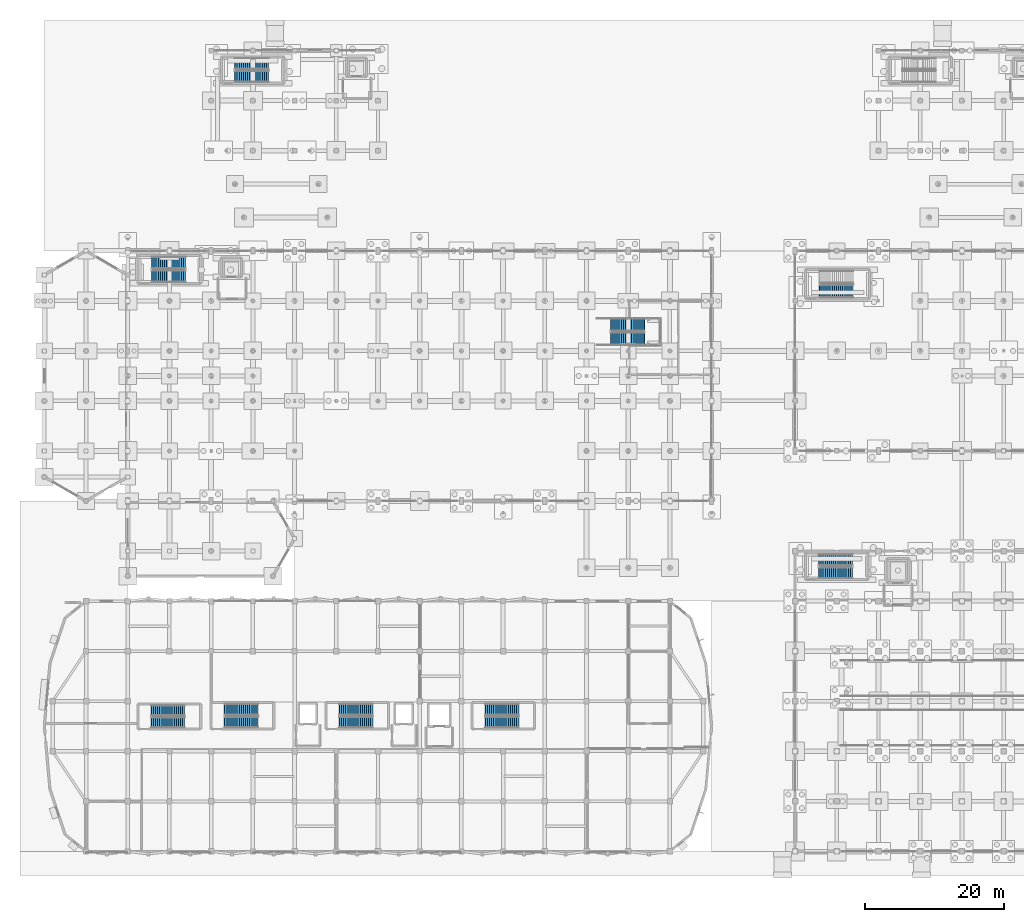
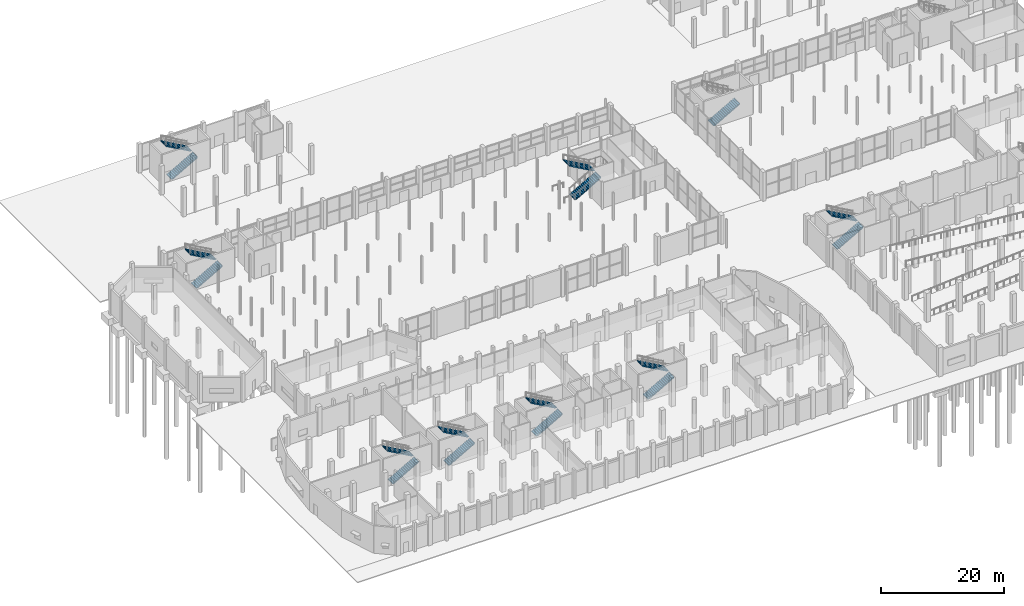
# One storey, part 85 of 103: 17 stair flights, 9 elements without a shape of their own.
"""IFC4 building model written with IfcOpenShell, lengths in metres."""

from ifc_helpers import new_model, si_unit, direction, frame, origin, place, context, subcontext, project, spatial, polyline, outline, extrude, material, type_object, element, aggregate, save


model = new_model("IFC4")

# Units and contexts
model_context = context("Model", 3, precision=1e-05, world=origin(), true_north=direction((0.0, 1.0)))
body_context = subcontext(model_context, "Body", "Model", "MODEL_VIEW")
ifc_project = project(units=[si_unit("LENGTHUNIT", "METRE"), si_unit("AREAUNIT", "SQUARE_METRE"), si_unit("VOLUMEUNIT", "CUBIC_METRE"), si_unit("PLANEANGLEUNIT", "RADIAN"), si_unit("MASSUNIT", "GRAM", prefix="KILO")], contexts=[model_context])

# Site, building, storey
site_placement = place(None, origin())
site = spatial("IfcSite", under=ifc_project, at=site_placement, CompositionType="ELEMENT")
building_placement = place(site_placement, origin())
building = spatial("IfcBuilding", under=site, at=building_placement, Name="Dunvalen Ferry Terminal", CompositionType="ELEMENT")
storey_placement = place(building_placement, origin())
storey = spatial("IfcBuildingStorey", under=building, at=storey_placement, Name="L00", CompositionType="ELEMENT", Elevation=0.0)

# Stair, stair flights
ifc_material_1 = material(Name="Concrete C35/45", Category="concrete")
stair_type_1 = type_object("IfcStairType", Name="INT-ST-DLG-03", PredefinedType="HALF_TURN_STAIR", material=ifc_material_1)
stair_1_placement = place(storey_placement, origin())
stair_1 = element("IfcStair", 1, at=stair_1_placement, inside=storey, type_object=stair_type_1, Name="L00 Protected Escape Stair 5", PredefinedType="HALF_TURN_STAIR")
ifc_material_2 = material(Name="Precast concrete C40/50", Category="concrete")
stair_flight_type_1 = type_object("IfcStairFlightType", Name="INT-SFL-STR-03", PredefinedType="STRAIGHT", material=ifc_material_2)
stair_flight_1_placement = place(storey_placement, frame((15.39990234375, 18.52490234375, 0.0), z_axis=(0.0, 0.0, 1.0), x_axis=(1.0, 0.0, 0.0)))
stair_flight_1 = element("IfcStairFlight", 2, at=stair_flight_1_placement, type_object=stair_flight_type_1, Name="ST5 flight 1", NumberOfRisers=17, NumberOfTreads=16, PredefinedType="STRAIGHT", RiserHeight=0.169411765, TreadLength=0.3, context=body_context, shape_type="SweptSolid", body=[
    extrude(outline(polyline([(-0.080078125, 0.0), (-0.080078125, 0.080078125), (0.0, 0.16943359375), (0.300048828125, 0.16943359375), (0.300048828125, 0.3388671875), (0.60009765625, 0.3388671875), (0.60009765625, 0.50830078125), (0.89990234375, 0.50830078125), (0.89990234375, 0.677734375), (1.199951171875, 0.677734375), (1.199951171875, 0.84716796875), (1.5, 0.84716796875), (1.5, 1.016357421875), (1.800048828125, 1.016357421875), (1.800048828125, 1.185791015625), (2.10009765625, 1.185791015625), (2.10009765625, 1.355224609375), (2.39990234375, 1.355224609375), (2.39990234375, 1.524658203125), (2.699951171875, 1.524658203125), (2.699951171875, 1.694091796875), (3.0, 1.694091796875), (3.0, 1.863525390625), (3.300048828125, 1.863525390625), (3.300048828125, 2.032958984375), (3.60009765625, 2.032958984375), (3.60009765625, 2.202392578125), (3.89990234375, 2.202392578125), (3.89990234375, 2.371826171875), (4.199951171875, 2.371826171875), (4.199951171875, 2.541259765625), (4.5, 2.541259765625), (4.5, 2.710693359375), (4.800048828125, 2.710693359375), (4.800048828125, 2.8798828125), (4.880126953125, 2.8798828125), (4.880126953125, 2.719970703125), (4.800048828125, 2.538330078125), (0.304931640625, 0.0), (-0.080078125, 0.0)])), frame((0.0, 0.77490234375, 0.0), z_axis=(0.0, -1.0, 0.0), x_axis=(1.0, 0.0, 0.0)), (0.0, 0.0, 1.0), 1.550048828125),
])
stair_flight_2_placement = place(storey_placement, frame((20.199951171875, 20.27490234375, 2.8798828125), z_axis=(0.0, 0.0, 1.0), x_axis=(-1.0, 0.0, 0.0)))
stair_flight_2 = element("IfcStairFlight", 3, at=stair_flight_2_placement, type_object=stair_flight_type_1, Name="ST5 flight 2", NumberOfRisers=17, NumberOfTreads=16, PredefinedType="STRAIGHT", RiserHeight=0.169411765, TreadLength=0.3, context=body_context, shape_type="SweptSolid", body=[
    extrude(outline(polyline([(-0.080078125, 0.0), (-0.080078125, 0.080078125), (0.0, 0.16943359375), (0.300048828125, 0.16943359375), (0.300048828125, 0.3388671875), (0.60009765625, 0.3388671875), (0.60009765625, 0.50830078125), (0.89990234375, 0.50830078125), (0.89990234375, 0.677734375), (1.199951171875, 0.677734375), (1.199951171875, 0.84716796875), (1.5, 0.84716796875), (1.5, 1.016357421875), (1.800048828125, 1.016357421875), (1.800048828125, 1.185791015625), (2.10009765625, 1.185791015625), (2.10009765625, 1.355224609375), (2.39990234375, 1.355224609375), (2.39990234375, 1.524658203125), (2.699951171875, 1.524658203125), (2.699951171875, 1.694091796875), (3.0, 1.694091796875), (3.0, 1.863525390625), (3.300048828125, 1.863525390625), (3.300048828125, 2.032958984375), (3.60009765625, 2.032958984375), (3.60009765625, 2.202392578125), (3.89990234375, 2.202392578125), (3.89990234375, 2.371826171875), (4.199951171875, 2.371826171875), (4.199951171875, 2.541259765625), (4.5, 2.541259765625), (4.5, 2.710693359375), (4.800048828125, 2.710693359375), (4.800048828125, 2.8798828125), (4.880126953125, 2.8798828125), (4.880126953125, 2.719970703125), (4.800048828125, 2.538330078125), (0.304931640625, 0.0), (-0.080078125, 0.0)])), frame((0.0, 0.77490234375, 0.0), z_axis=(0.0, -1.0, 0.0), x_axis=(1.0, 0.0, 0.0)), (0.0, 0.0, 1.0), 1.550048828125),
])
aggregate(stair_1, [stair_flight_1, stair_flight_2])

stair_type_2 = type_object("IfcStairType", Name="INT-ST-DLG-06", PredefinedType="HALF_TURN_STAIR", material=ifc_material_1)
stair_2_placement = place(storey_placement, origin())
stair_2 = element("IfcStair", 4, at=stair_2_placement, inside=storey, type_object=stair_type_2, Name="L00 Protected Escape Stair 1", PredefinedType="HALF_TURN_STAIR")
stair_flight_type_2 = type_object("IfcStairFlightType", Name="INT-SFL-STR-06", PredefinedType="STRAIGHT", material=ifc_material_2)
stair_flight_3_placement = place(storey_placement, frame((25.949951171875, 18.574951171875, 0.0), z_axis=(0.0, 0.0, 1.0), x_axis=(1.0, 0.0, 0.0)))
stair_flight_3 = element("IfcStairFlight", 5, at=stair_flight_3_placement, type_object=stair_flight_type_2, Name="ST1 flight 1", NumberOfRisers=17, NumberOfTreads=16, PredefinedType="STRAIGHT", RiserHeight=0.169411765, TreadLength=0.3, context=body_context, shape_type="SweptSolid", body=[
    extrude(outline(polyline([(-0.080078125, 0.0), (-0.080078125, 0.080078125), (0.0, 0.16943359375), (0.300048828125, 0.16943359375), (0.300048828125, 0.3388671875), (0.60009765625, 0.3388671875), (0.60009765625, 0.50830078125), (0.89990234375, 0.50830078125), (0.89990234375, 0.677734375), (1.199951171875, 0.677734375), (1.199951171875, 0.84716796875), (1.5, 0.84716796875), (1.5, 1.016357421875), (1.800048828125, 1.016357421875), (1.800048828125, 1.185791015625), (2.10009765625, 1.185791015625), (2.10009765625, 1.355224609375), (2.39990234375, 1.355224609375), (2.39990234375, 1.524658203125), (2.699951171875, 1.524658203125), (2.699951171875, 1.694091796875), (3.0, 1.694091796875), (3.0, 1.863525390625), (3.300048828125, 1.863525390625), (3.300048828125, 2.032958984375), (3.60009765625, 2.032958984375), (3.60009765625, 2.202392578125), (3.89990234375, 2.202392578125), (3.89990234375, 2.371826171875), (4.199951171875, 2.371826171875), (4.199951171875, 2.541259765625), (4.5, 2.541259765625), (4.5, 2.710693359375), (4.800048828125, 2.710693359375), (4.800048828125, 2.8798828125), (4.880126953125, 2.8798828125), (4.880126953125, 2.719970703125), (4.800048828125, 2.538330078125), (0.304931640625, 0.0), (-0.080078125, 0.0)])), frame((0.0, 0.824951171875, 0.0), z_axis=(0.0, -1.0, 0.0), x_axis=(1.0, 0.0, 0.0)), (0.0, 0.0, 1.0), 1.64990234375),
])
stair_flight_4_placement = place(storey_placement, frame((30.75, 20.425048828125, 2.8798828125), z_axis=(0.0, 0.0, 1.0), x_axis=(-1.0, 0.0, 0.0)))
stair_flight_4 = element("IfcStairFlight", 6, at=stair_flight_4_placement, type_object=stair_flight_type_2, Name="ST1 flight 2", NumberOfRisers=17, NumberOfTreads=16, PredefinedType="STRAIGHT", RiserHeight=0.169411765, TreadLength=0.3, context=body_context, shape_type="SweptSolid", body=[
    extrude(outline(polyline([(-0.080078125, 0.0), (-0.080078125, 0.080078125), (0.0, 0.16943359375), (0.300048828125, 0.16943359375), (0.300048828125, 0.3388671875), (0.60009765625, 0.3388671875), (0.60009765625, 0.50830078125), (0.89990234375, 0.50830078125), (0.89990234375, 0.677734375), (1.199951171875, 0.677734375), (1.199951171875, 0.84716796875), (1.5, 0.84716796875), (1.5, 1.016357421875), (1.800048828125, 1.016357421875), (1.800048828125, 1.185791015625), (2.10009765625, 1.185791015625), (2.10009765625, 1.355224609375), (2.39990234375, 1.355224609375), (2.39990234375, 1.524658203125), (2.699951171875, 1.524658203125), (2.699951171875, 1.694091796875), (3.0, 1.694091796875), (3.0, 1.863525390625), (3.300048828125, 1.863525390625), (3.300048828125, 2.032958984375), (3.60009765625, 2.032958984375), (3.60009765625, 2.202392578125), (3.89990234375, 2.202392578125), (3.89990234375, 2.371826171875), (4.199951171875, 2.371826171875), (4.199951171875, 2.541259765625), (4.5, 2.541259765625), (4.5, 2.710693359375), (4.800048828125, 2.710693359375), (4.800048828125, 2.8798828125), (4.880126953125, 2.8798828125), (4.880126953125, 2.719970703125), (4.800048828125, 2.538330078125), (0.304931640625, 0.0), (-0.080078125, 0.0)])), frame((0.0, 0.824951171875, 0.0), z_axis=(0.0, -1.0, 0.0), x_axis=(1.0, 0.0, 0.0)), (0.0, 0.0, 1.0), 1.64990234375),
])
aggregate(stair_2, [stair_flight_3, stair_flight_4])

stair_3_placement = place(storey_placement, origin())
stair_3 = element("IfcStair", 7, at=stair_3_placement, inside=storey, type_object=stair_type_2, Name="L00 Protected Escape Stair 2", PredefinedType="HALF_TURN_STAIR")
stair_flight_5_placement = place(storey_placement, frame((42.449951171875, 18.574951171875, 0.0), z_axis=(0.0, 0.0, 1.0), x_axis=(1.0, 0.0, 0.0)))
stair_flight_5 = element("IfcStairFlight", 8, at=stair_flight_5_placement, type_object=stair_flight_type_2, Name="ST2 flight 1", NumberOfRisers=17, NumberOfTreads=16, PredefinedType="STRAIGHT", RiserHeight=0.169411765, TreadLength=0.3, context=body_context, shape_type="SweptSolid", body=[
    extrude(outline(polyline([(-0.080078125, 0.0), (-0.080078125, 0.080078125), (0.0, 0.16943359375), (0.300048828125, 0.16943359375), (0.300048828125, 0.3388671875), (0.60009765625, 0.3388671875), (0.60009765625, 0.50830078125), (0.89990234375, 0.50830078125), (0.89990234375, 0.677734375), (1.199951171875, 0.677734375), (1.199951171875, 0.84716796875), (1.5, 0.84716796875), (1.5, 1.016357421875), (1.800048828125, 1.016357421875), (1.800048828125, 1.185791015625), (2.10009765625, 1.185791015625), (2.10009765625, 1.355224609375), (2.39990234375, 1.355224609375), (2.39990234375, 1.524658203125), (2.699951171875, 1.524658203125), (2.699951171875, 1.694091796875), (3.0, 1.694091796875), (3.0, 1.863525390625), (3.300048828125, 1.863525390625), (3.300048828125, 2.032958984375), (3.60009765625, 2.032958984375), (3.60009765625, 2.202392578125), (3.89990234375, 2.202392578125), (3.89990234375, 2.371826171875), (4.199951171875, 2.371826171875), (4.199951171875, 2.541259765625), (4.5, 2.541259765625), (4.5, 2.710693359375), (4.800048828125, 2.710693359375), (4.800048828125, 2.8798828125), (4.880126953125, 2.8798828125), (4.880126953125, 2.719970703125), (4.800048828125, 2.538330078125), (0.304931640625, 0.0), (-0.080078125, 0.0)])), frame((0.0, 0.824951171875, 0.0), z_axis=(0.0, -1.0, 0.0), x_axis=(1.0, 0.0, 0.0)), (0.0, 0.0, 1.0), 1.64990234375),
])
stair_flight_6_placement = place(storey_placement, frame((47.25, 20.425048828125, 2.8798828125), z_axis=(0.0, 0.0, 1.0), x_axis=(-1.0, 0.0, 0.0)))
stair_flight_6 = element("IfcStairFlight", 9, at=stair_flight_6_placement, type_object=stair_flight_type_2, Name="ST2 flight 2", NumberOfRisers=17, NumberOfTreads=16, PredefinedType="STRAIGHT", RiserHeight=0.169411765, TreadLength=0.3, context=body_context, shape_type="SweptSolid", body=[
    extrude(outline(polyline([(-0.080078125, 0.0), (-0.080078125, 0.080078125), (0.0, 0.16943359375), (0.300048828125, 0.16943359375), (0.300048828125, 0.3388671875), (0.60009765625, 0.3388671875), (0.60009765625, 0.50830078125), (0.89990234375, 0.50830078125), (0.89990234375, 0.677734375), (1.199951171875, 0.677734375), (1.199951171875, 0.84716796875), (1.5, 0.84716796875), (1.5, 1.016357421875), (1.800048828125, 1.016357421875), (1.800048828125, 1.185791015625), (2.10009765625, 1.185791015625), (2.10009765625, 1.355224609375), (2.39990234375, 1.355224609375), (2.39990234375, 1.524658203125), (2.699951171875, 1.524658203125), (2.699951171875, 1.694091796875), (3.0, 1.694091796875), (3.0, 1.863525390625), (3.300048828125, 1.863525390625), (3.300048828125, 2.032958984375), (3.60009765625, 2.032958984375), (3.60009765625, 2.202392578125), (3.89990234375, 2.202392578125), (3.89990234375, 2.371826171875), (4.199951171875, 2.371826171875), (4.199951171875, 2.541259765625), (4.5, 2.541259765625), (4.5, 2.710693359375), (4.800048828125, 2.710693359375), (4.800048828125, 2.8798828125), (4.880126953125, 2.8798828125), (4.880126953125, 2.719970703125), (4.800048828125, 2.538330078125), (0.304931640625, 0.0), (-0.080078125, 0.0)])), frame((0.0, 0.824951171875, 0.0), z_axis=(0.0, -1.0, 0.0), x_axis=(1.0, 0.0, 0.0)), (0.0, 0.0, 1.0), 1.64990234375),
])
aggregate(stair_3, [stair_flight_5, stair_flight_6])

stair_4_placement = place(storey_placement, origin())
stair_4 = element("IfcStair", 10, at=stair_4_placement, inside=storey, type_object=stair_type_2, Name="L00 Protected Escape Stair 3", PredefinedType="HALF_TURN_STAIR")
stair_flight_7_placement = place(storey_placement, frame((63.449951171875, 18.574951171875, 0.0), z_axis=(0.0, 0.0, 1.0), x_axis=(1.0, 0.0, 0.0)))
stair_flight_7 = element("IfcStairFlight", 11, at=stair_flight_7_placement, type_object=stair_flight_type_2, Name="ST3 flight 1", NumberOfRisers=17, NumberOfTreads=16, PredefinedType="STRAIGHT", RiserHeight=0.169411765, TreadLength=0.3, context=body_context, shape_type="SweptSolid", body=[
    extrude(outline(polyline([(-0.080078125, 0.0), (-0.080078125, 0.080078125), (0.0, 0.16943359375), (0.300048828125, 0.16943359375), (0.300048828125, 0.3388671875), (0.60009765625, 0.3388671875), (0.60009765625, 0.50830078125), (0.89990234375, 0.50830078125), (0.89990234375, 0.677734375), (1.199951171875, 0.677734375), (1.199951171875, 0.84716796875), (1.5, 0.84716796875), (1.5, 1.016357421875), (1.800048828125, 1.016357421875), (1.800048828125, 1.185791015625), (2.10009765625, 1.185791015625), (2.10009765625, 1.355224609375), (2.39990234375, 1.355224609375), (2.39990234375, 1.524658203125), (2.699951171875, 1.524658203125), (2.699951171875, 1.694091796875), (3.0, 1.694091796875), (3.0, 1.863525390625), (3.300048828125, 1.863525390625), (3.300048828125, 2.032958984375), (3.60009765625, 2.032958984375), (3.60009765625, 2.202392578125), (3.89990234375, 2.202392578125), (3.89990234375, 2.371826171875), (4.199951171875, 2.371826171875), (4.199951171875, 2.541259765625), (4.5, 2.541259765625), (4.5, 2.710693359375), (4.800048828125, 2.710693359375), (4.800048828125, 2.8798828125), (4.880126953125, 2.8798828125), (4.880126953125, 2.719970703125), (4.800048828125, 2.538330078125), (0.304931640625, 0.0), (-0.080078125, 0.0)])), frame((0.0, 0.824951171875, 0.0), z_axis=(0.0, -1.0, 0.0), x_axis=(1.0, 0.0, 0.0)), (0.0, 0.0, 1.0), 1.64990234375),
])
stair_flight_8_placement = place(storey_placement, frame((68.25, 20.425048828125, 2.8798828125), z_axis=(0.0, 0.0, 1.0), x_axis=(-1.0, 0.0, 0.0)))
stair_flight_8 = element("IfcStairFlight", 12, at=stair_flight_8_placement, type_object=stair_flight_type_2, Name="ST3 flight 2", NumberOfRisers=17, NumberOfTreads=16, PredefinedType="STRAIGHT", RiserHeight=0.169411765, TreadLength=0.3, context=body_context, shape_type="SweptSolid", body=[
    extrude(outline(polyline([(-0.080078125, 0.0), (-0.080078125, 0.080078125), (0.0, 0.16943359375), (0.300048828125, 0.16943359375), (0.300048828125, 0.3388671875), (0.60009765625, 0.3388671875), (0.60009765625, 0.50830078125), (0.89990234375, 0.50830078125), (0.89990234375, 0.677734375), (1.199951171875, 0.677734375), (1.199951171875, 0.84716796875), (1.5, 0.84716796875), (1.5, 1.016357421875), (1.800048828125, 1.016357421875), (1.800048828125, 1.185791015625), (2.10009765625, 1.185791015625), (2.10009765625, 1.355224609375), (2.39990234375, 1.355224609375), (2.39990234375, 1.524658203125), (2.699951171875, 1.524658203125), (2.699951171875, 1.694091796875), (3.0, 1.694091796875), (3.0, 1.863525390625), (3.300048828125, 1.863525390625), (3.300048828125, 2.032958984375), (3.60009765625, 2.032958984375), (3.60009765625, 2.202392578125), (3.89990234375, 2.202392578125), (3.89990234375, 2.371826171875), (4.199951171875, 2.371826171875), (4.199951171875, 2.541259765625), (4.5, 2.541259765625), (4.5, 2.710693359375), (4.800048828125, 2.710693359375), (4.800048828125, 2.8798828125), (4.880126953125, 2.8798828125), (4.880126953125, 2.719970703125), (4.800048828125, 2.538330078125), (0.304931640625, 0.0), (-0.080078125, 0.0)])), frame((0.0, 0.824951171875, 0.0), z_axis=(0.0, -1.0, 0.0), x_axis=(1.0, 0.0, 0.0)), (0.0, 0.0, 1.0), 1.64990234375),
])
aggregate(stair_4, [stair_flight_7, stair_flight_8])

stair_5_placement = place(storey_placement, origin())
stair_5 = element("IfcStair", 13, at=stair_5_placement, inside=storey, type_object=stair_type_2, Name="L00 Protected Escape Stair 4", PredefinedType="HALF_TURN_STAIR")
stair_flight_9_placement = place(storey_placement, frame((111.449951171875, 40.074951171875, 0.0), z_axis=(0.0, 0.0, 1.0), x_axis=(1.0, 0.0, 0.0)))
stair_flight_9 = element("IfcStairFlight", 14, at=stair_flight_9_placement, type_object=stair_flight_type_2, Name="ST4 flight 1", NumberOfRisers=17, NumberOfTreads=16, PredefinedType="STRAIGHT", RiserHeight=0.169411765, TreadLength=0.3, context=body_context, shape_type="SweptSolid", body=[
    extrude(outline(polyline([(-0.080078125, 0.0), (-0.080078125, 0.080078125), (0.0, 0.16943359375), (0.300048828125, 0.16943359375), (0.300048828125, 0.3388671875), (0.60009765625, 0.3388671875), (0.60009765625, 0.50830078125), (0.89990234375, 0.50830078125), (0.89990234375, 0.677734375), (1.199951171875, 0.677734375), (1.199951171875, 0.84716796875), (1.5, 0.84716796875), (1.5, 1.016357421875), (1.800048828125, 1.016357421875), (1.800048828125, 1.185791015625), (2.10009765625, 1.185791015625), (2.10009765625, 1.355224609375), (2.39990234375, 1.355224609375), (2.39990234375, 1.524658203125), (2.699951171875, 1.524658203125), (2.699951171875, 1.694091796875), (3.0, 1.694091796875), (3.0, 1.863525390625), (3.300048828125, 1.863525390625), (3.300048828125, 2.032958984375), (3.60009765625, 2.032958984375), (3.60009765625, 2.202392578125), (3.89990234375, 2.202392578125), (3.89990234375, 2.371826171875), (4.199951171875, 2.371826171875), (4.199951171875, 2.541259765625), (4.5, 2.541259765625), (4.5, 2.710693359375), (4.800048828125, 2.710693359375), (4.800048828125, 2.8798828125), (4.880126953125, 2.8798828125), (4.880126953125, 2.719970703125), (4.800048828125, 2.538330078125), (0.304931640625, 0.0), (-0.080078125, 0.0)])), frame((0.0, 0.824951171875, 0.0), z_axis=(0.0, -1.0, 0.0), x_axis=(1.0, 0.0, 0.0)), (0.0, 0.0, 1.0), 1.64990234375),
])
stair_flight_10_placement = place(storey_placement, frame((116.25, 41.925048828125, 2.8798828125), z_axis=(0.0, 0.0, 1.0), x_axis=(-1.0, 0.0, 0.0)))
stair_flight_10 = element("IfcStairFlight", 15, at=stair_flight_10_placement, type_object=stair_flight_type_2, Name="ST4 flight 2", NumberOfRisers=17, NumberOfTreads=16, PredefinedType="STRAIGHT", RiserHeight=0.169411765, TreadLength=0.3, context=body_context, shape_type="SweptSolid", body=[
    extrude(outline(polyline([(-0.080078125, 0.0), (-0.080078125, 0.080078125), (0.0, 0.16943359375), (0.300048828125, 0.16943359375), (0.300048828125, 0.3388671875), (0.60009765625, 0.3388671875), (0.60009765625, 0.50830078125), (0.89990234375, 0.50830078125), (0.89990234375, 0.677734375), (1.199951171875, 0.677734375), (1.199951171875, 0.84716796875), (1.5, 0.84716796875), (1.5, 1.016357421875), (1.800048828125, 1.016357421875), (1.800048828125, 1.185791015625), (2.10009765625, 1.185791015625), (2.10009765625, 1.355224609375), (2.39990234375, 1.355224609375), (2.39990234375, 1.524658203125), (2.699951171875, 1.524658203125), (2.699951171875, 1.694091796875), (3.0, 1.694091796875), (3.0, 1.863525390625), (3.300048828125, 1.863525390625), (3.300048828125, 2.032958984375), (3.60009765625, 2.032958984375), (3.60009765625, 2.202392578125), (3.89990234375, 2.202392578125), (3.89990234375, 2.371826171875), (4.199951171875, 2.371826171875), (4.199951171875, 2.541259765625), (4.5, 2.541259765625), (4.5, 2.710693359375), (4.800048828125, 2.710693359375), (4.800048828125, 2.8798828125), (4.880126953125, 2.8798828125), (4.880126953125, 2.719970703125), (4.800048828125, 2.538330078125), (0.304931640625, 0.0), (-0.080078125, 0.0)])), frame((0.0, 0.824951171875, 0.0), z_axis=(0.0, -1.0, 0.0), x_axis=(1.0, 0.0, 0.0)), (0.0, 0.0, 1.0), 1.64990234375),
])
aggregate(stair_5, [stair_flight_9, stair_flight_10])

stair_6_placement = place(storey_placement, origin())
stair_6 = element("IfcStair", 16, at=stair_6_placement, inside=storey, type_object=stair_type_2, Name="L00 Berth 1 Pavilion Escape Stair 11", PredefinedType="HALF_TURN_STAIR")
stair_flight_11_placement = place(storey_placement, frame((27.449951171875, 111.47509765625, 0.0), z_axis=(0.0, 0.0, 1.0), x_axis=(1.0, 0.0, 0.0)))
stair_flight_11 = element("IfcStairFlight", 17, at=stair_flight_11_placement, type_object=stair_flight_type_2, Name="ST11 flight 1", NumberOfRisers=17, NumberOfTreads=16, PredefinedType="STRAIGHT", RiserHeight=0.169411765, TreadLength=0.3, context=body_context, shape_type="SweptSolid", body=[
    extrude(outline(polyline([(-0.080078125, 0.0), (-0.080078125, 0.080078125), (0.0, 0.16943359375), (0.300048828125, 0.16943359375), (0.300048828125, 0.3388671875), (0.60009765625, 0.3388671875), (0.60009765625, 0.50830078125), (0.89990234375, 0.50830078125), (0.89990234375, 0.677734375), (1.199951171875, 0.677734375), (1.199951171875, 0.84716796875), (1.5, 0.84716796875), (1.5, 1.016357421875), (1.800048828125, 1.016357421875), (1.800048828125, 1.185791015625), (2.10009765625, 1.185791015625), (2.10009765625, 1.355224609375), (2.39990234375, 1.355224609375), (2.39990234375, 1.524658203125), (2.699951171875, 1.524658203125), (2.699951171875, 1.694091796875), (3.0, 1.694091796875), (3.0, 1.863525390625), (3.300048828125, 1.863525390625), (3.300048828125, 2.032958984375), (3.60009765625, 2.032958984375), (3.60009765625, 2.202392578125), (3.89990234375, 2.202392578125), (3.89990234375, 2.371826171875), (4.199951171875, 2.371826171875), (4.199951171875, 2.541259765625), (4.5, 2.541259765625), (4.5, 2.710693359375), (4.800048828125, 2.710693359375), (4.800048828125, 2.8798828125), (4.880126953125, 2.8798828125), (4.880126953125, 2.719970703125), (4.800048828125, 2.538330078125), (0.304931640625, 0.0), (-0.080078125, 0.0)])), frame((0.0, 0.824951171875, 0.0), z_axis=(0.0, -1.0, 0.0), x_axis=(1.0, 0.0, 0.0)), (0.0, 0.0, 1.0), 1.64990234375),
])
stair_flight_12_placement = place(storey_placement, frame((32.25, 113.324951171875, 2.8798828125), z_axis=(0.0, 0.0, 1.0), x_axis=(-1.0, 0.0, 0.0)))
stair_flight_12 = element("IfcStairFlight", 18, at=stair_flight_12_placement, type_object=stair_flight_type_2, Name="ST11 flight 2", NumberOfRisers=17, NumberOfTreads=16, PredefinedType="STRAIGHT", RiserHeight=0.169411765, TreadLength=0.3, context=body_context, shape_type="SweptSolid", body=[
    extrude(outline(polyline([(-0.080078125, 0.0), (-0.080078125, 0.080078125), (0.0, 0.16943359375), (0.300048828125, 0.16943359375), (0.300048828125, 0.3388671875), (0.60009765625, 0.3388671875), (0.60009765625, 0.50830078125), (0.89990234375, 0.50830078125), (0.89990234375, 0.677734375), (1.199951171875, 0.677734375), (1.199951171875, 0.84716796875), (1.5, 0.84716796875), (1.5, 1.016357421875), (1.800048828125, 1.016357421875), (1.800048828125, 1.185791015625), (2.10009765625, 1.185791015625), (2.10009765625, 1.355224609375), (2.39990234375, 1.355224609375), (2.39990234375, 1.524658203125), (2.699951171875, 1.524658203125), (2.699951171875, 1.694091796875), (3.0, 1.694091796875), (3.0, 1.863525390625), (3.300048828125, 1.863525390625), (3.300048828125, 2.032958984375), (3.60009765625, 2.032958984375), (3.60009765625, 2.202392578125), (3.89990234375, 2.202392578125), (3.89990234375, 2.371826171875), (4.199951171875, 2.371826171875), (4.199951171875, 2.541259765625), (4.5, 2.541259765625), (4.5, 2.710693359375), (4.800048828125, 2.710693359375), (4.800048828125, 2.8798828125), (4.880126953125, 2.8798828125), (4.880126953125, 2.719970703125), (4.800048828125, 2.538330078125), (0.304931640625, 0.0), (-0.080078125, 0.0)])), frame((0.0, 0.824951171875, 0.0), z_axis=(0.0, -1.0, 0.0), x_axis=(1.0, 0.0, 0.0)), (0.0, 0.0, 1.0), 1.64990234375),
])
aggregate(stair_6, [stair_flight_11, stair_flight_12])

stair_type_3 = type_object("IfcStairType", Name="INT-ST-DLG-09", PredefinedType="HALF_TURN_STAIR", material=ifc_material_1)
stair_7_placement = place(storey_placement, origin())
stair_7 = element("IfcStair", 19, at=stair_7_placement, inside=storey, type_object=stair_type_3, Name="L00 Departure Concourse Feature Stair 8", PredefinedType="HALF_TURN_STAIR")
stair_flight_type_3 = type_object("IfcStairFlightType", Name="INT-SFL-STR-09", PredefinedType="STRAIGHT", material=ifc_material_2)
stair_flight_13_placement = place(storey_placement, frame((81.5, 73.72509765625, 0.0), z_axis=(0.0, 0.0, 1.0), x_axis=(1.0, 0.0, 0.0)))
stair_flight_13 = element("IfcStairFlight", 20, at=stair_flight_13_placement, type_object=stair_flight_type_3, Name="ST8 flight 1", NumberOfRisers=17, NumberOfTreads=16, PredefinedType="STRAIGHT", RiserHeight=0.169411765, TreadLength=0.3, context=body_context, shape_type="SweptSolid", body=[
    extrude(outline(polyline([(-0.080078125, 0.0), (-0.080078125, 0.080078125), (0.0, 0.16943359375), (0.300048828125, 0.16943359375), (0.300048828125, 0.3388671875), (0.60009765625, 0.3388671875), (0.60009765625, 0.50830078125), (0.89990234375, 0.50830078125), (0.89990234375, 0.677734375), (1.199951171875, 0.677734375), (1.199951171875, 0.84716796875), (1.5, 0.84716796875), (1.5, 1.016357421875), (1.800048828125, 1.016357421875), (1.800048828125, 1.185791015625), (2.10009765625, 1.185791015625), (2.10009765625, 1.355224609375), (2.39990234375, 1.355224609375), (2.39990234375, 1.524658203125), (2.699951171875, 1.524658203125), (2.699951171875, 1.694091796875), (3.0, 1.694091796875), (3.0, 1.863525390625), (3.300048828125, 1.863525390625), (3.300048828125, 2.032958984375), (3.60009765625, 2.032958984375), (3.60009765625, 2.202392578125), (3.89990234375, 2.202392578125), (3.89990234375, 2.371826171875), (4.199951171875, 2.371826171875), (4.199951171875, 2.541259765625), (4.5, 2.541259765625), (4.5, 2.710693359375), (4.800048828125, 2.710693359375), (4.800048828125, 2.8798828125), (4.880126953125, 2.8798828125), (4.880126953125, 2.719970703125), (4.800048828125, 2.538330078125), (0.304931640625, 0.0), (-0.080078125, 0.0)])), frame((0.0, 0.925048828125, 0.0), z_axis=(0.0, -1.0, 0.0), x_axis=(1.0, 0.0, 0.0)), (0.0, 0.0, 1.0), 1.85009765625),
])
stair_flight_14_placement = place(storey_placement, frame((86.300048828125, 75.77490234375, 2.8798828125), z_axis=(0.0, 0.0, 1.0), x_axis=(-1.0, 0.0, 0.0)))
stair_flight_14 = element("IfcStairFlight", 21, at=stair_flight_14_placement, type_object=stair_flight_type_3, Name="ST8 flight 2", NumberOfRisers=17, NumberOfTreads=16, PredefinedType="STRAIGHT", RiserHeight=0.169411765, TreadLength=0.3, context=body_context, shape_type="SweptSolid", body=[
    extrude(outline(polyline([(-0.080078125, 0.0), (-0.080078125, 0.080078125), (0.0, 0.16943359375), (0.300048828125, 0.16943359375), (0.300048828125, 0.3388671875), (0.60009765625, 0.3388671875), (0.60009765625, 0.50830078125), (0.89990234375, 0.50830078125), (0.89990234375, 0.677734375), (1.199951171875, 0.677734375), (1.199951171875, 0.84716796875), (1.5, 0.84716796875), (1.5, 1.016357421875), (1.800048828125, 1.016357421875), (1.800048828125, 1.185791015625), (2.10009765625, 1.185791015625), (2.10009765625, 1.355224609375), (2.39990234375, 1.355224609375), (2.39990234375, 1.524658203125), (2.699951171875, 1.524658203125), (2.699951171875, 1.694091796875), (3.0, 1.694091796875), (3.0, 1.863525390625), (3.300048828125, 1.863525390625), (3.300048828125, 2.032958984375), (3.60009765625, 2.032958984375), (3.60009765625, 2.202392578125), (3.89990234375, 2.202392578125), (3.89990234375, 2.371826171875), (4.199951171875, 2.371826171875), (4.199951171875, 2.541259765625), (4.5, 2.541259765625), (4.5, 2.710693359375), (4.800048828125, 2.710693359375), (4.800048828125, 2.8798828125), (4.880126953125, 2.8798828125), (4.880126953125, 2.719970703125), (4.800048828125, 2.538330078125), (0.304931640625, 0.0), (-0.080078125, 0.0)])), frame((0.0, 0.925048828125, 0.0), z_axis=(0.0, -1.0, 0.0), x_axis=(1.0, 0.0, 0.0)), (0.0, 0.0, 1.0), 1.85009765625),
])
aggregate(stair_7, [stair_flight_13, stair_flight_14])

# Stair, stair flight
stair_8_placement = place(storey_placement, origin())
stair_8 = element("IfcStair", 22, at=stair_8_placement, inside=storey, type_object=stair_type_3, Name="L00 Border Concourse Stair 10", PredefinedType="HALF_TURN_STAIR")
stair_flight_15_placement = place(storey_placement, frame((111.550048828125, 80.574951171875, 0.0), z_axis=(0.0, 0.0, 1.0), x_axis=(1.0, 0.0, 0.0)))
stair_flight_15 = element("IfcStairFlight", 23, at=stair_flight_15_placement, type_object=stair_flight_type_3, Name="ST10 flight 1", NumberOfRisers=17, NumberOfTreads=16, PredefinedType="STRAIGHT", RiserHeight=0.169411765, TreadLength=0.3, context=body_context, shape_type="SweptSolid", body=[
    extrude(outline(polyline([(-0.080078125, 0.0), (-0.080078125, 0.080078125), (0.0, 0.16943359375), (0.300048828125, 0.16943359375), (0.300048828125, 0.3388671875), (0.60009765625, 0.3388671875), (0.60009765625, 0.50830078125), (0.89990234375, 0.50830078125), (0.89990234375, 0.677734375), (1.199951171875, 0.677734375), (1.199951171875, 0.84716796875), (1.5, 0.84716796875), (1.5, 1.016357421875), (1.800048828125, 1.016357421875), (1.800048828125, 1.185791015625), (2.10009765625, 1.185791015625), (2.10009765625, 1.355224609375), (2.39990234375, 1.355224609375), (2.39990234375, 1.524658203125), (2.699951171875, 1.524658203125), (2.699951171875, 1.694091796875), (3.0, 1.694091796875), (3.0, 1.863525390625), (3.300048828125, 1.863525390625), (3.300048828125, 2.032958984375), (3.60009765625, 2.032958984375), (3.60009765625, 2.202392578125), (3.89990234375, 2.202392578125), (3.89990234375, 2.371826171875), (4.199951171875, 2.371826171875), (4.199951171875, 2.541259765625), (4.5, 2.541259765625), (4.5, 2.710693359375), (4.800048828125, 2.710693359375), (4.800048828125, 2.8798828125), (4.880126953125, 2.8798828125), (4.880126953125, 2.719970703125), (4.800048828125, 2.538330078125), (0.304931640625, 0.0), (-0.080078125, 0.0)])), frame((0.0, 0.925048828125, 0.0), z_axis=(0.0, -1.0, 0.0), x_axis=(1.0, 0.0, 0.0)), (0.0, 0.0, 1.0), 1.85009765625),
])
aggregate(stair_8, [stair_flight_15])

# Stair, stair flights
stair_type_4 = type_object("IfcStairType", Name="INT-ST-DLG-12", PredefinedType="HALF_TURN_STAIR", material=ifc_material_1)
stair_9_placement = place(storey_placement, origin())
stair_9 = element("IfcStair", 24, at=stair_9_placement, inside=storey, type_object=stair_type_4, Name="L00 Departure Hall Quay Escape Stair 7", PredefinedType="HALF_TURN_STAIR")
stair_flight_type_4 = type_object("IfcStairFlightType", Name="INT-SFL-STR-12", PredefinedType="STRAIGHT", material=ifc_material_2)
stair_flight_16_placement = place(storey_placement, frame((15.5, 82.72509765625, 0.0), z_axis=(0.0, 0.0, 1.0), x_axis=(1.0, 0.0, 0.0)))
stair_flight_16 = element("IfcStairFlight", 25, at=stair_flight_16_placement, type_object=stair_flight_type_4, Name="ST7 flight 1", NumberOfRisers=17, NumberOfTreads=16, PredefinedType="STRAIGHT", RiserHeight=0.169411765, TreadLength=0.3, context=body_context, shape_type="SweptSolid", body=[
    extrude(outline(polyline([(-0.080078125, 0.0), (-0.080078125, 0.080078125), (0.0, 0.16943359375), (0.300048828125, 0.16943359375), (0.300048828125, 0.3388671875), (0.60009765625, 0.3388671875), (0.60009765625, 0.50830078125), (0.89990234375, 0.50830078125), (0.89990234375, 0.677734375), (1.199951171875, 0.677734375), (1.199951171875, 0.84716796875), (1.5, 0.84716796875), (1.5, 1.016357421875), (1.800048828125, 1.016357421875), (1.800048828125, 1.185791015625), (2.10009765625, 1.185791015625), (2.10009765625, 1.355224609375), (2.39990234375, 1.355224609375), (2.39990234375, 1.524658203125), (2.699951171875, 1.524658203125), (2.699951171875, 1.694091796875), (3.0, 1.694091796875), (3.0, 1.863525390625), (3.300048828125, 1.863525390625), (3.300048828125, 2.032958984375), (3.60009765625, 2.032958984375), (3.60009765625, 2.202392578125), (3.89990234375, 2.202392578125), (3.89990234375, 2.371826171875), (4.199951171875, 2.371826171875), (4.199951171875, 2.541259765625), (4.5, 2.541259765625), (4.5, 2.710693359375), (4.800048828125, 2.710693359375), (4.800048828125, 2.8798828125), (4.880126953125, 2.8798828125), (4.880126953125, 2.719970703125), (4.800048828125, 2.538330078125), (0.304931640625, 0.0), (-0.080078125, 0.0)])), frame((0.0, 0.875, 0.0), z_axis=(0.0, -1.0, 0.0), x_axis=(1.0, 0.0, 0.0)), (0.0, 0.0, 1.0), 1.75),
])
stair_flight_17_placement = place(storey_placement, frame((20.300048828125, 84.675048828125, 2.8798828125), z_axis=(0.0, 0.0, 1.0), x_axis=(-1.0, 0.0, 0.0)))
stair_flight_17 = element("IfcStairFlight", 26, at=stair_flight_17_placement, type_object=stair_flight_type_4, Name="ST7 flight 2", NumberOfRisers=17, NumberOfTreads=16, PredefinedType="STRAIGHT", RiserHeight=0.169411765, TreadLength=0.3, context=body_context, shape_type="SweptSolid", body=[
    extrude(outline(polyline([(-0.080078125, 0.0), (-0.080078125, 0.080078125), (0.0, 0.16943359375), (0.300048828125, 0.16943359375), (0.300048828125, 0.3388671875), (0.60009765625, 0.3388671875), (0.60009765625, 0.50830078125), (0.89990234375, 0.50830078125), (0.89990234375, 0.677734375), (1.199951171875, 0.677734375), (1.199951171875, 0.84716796875), (1.5, 0.84716796875), (1.5, 1.016357421875), (1.800048828125, 1.016357421875), (1.800048828125, 1.185791015625), (2.10009765625, 1.185791015625), (2.10009765625, 1.355224609375), (2.39990234375, 1.355224609375), (2.39990234375, 1.524658203125), (2.699951171875, 1.524658203125), (2.699951171875, 1.694091796875), (3.0, 1.694091796875), (3.0, 1.863525390625), (3.300048828125, 1.863525390625), (3.300048828125, 2.032958984375), (3.60009765625, 2.032958984375), (3.60009765625, 2.202392578125), (3.89990234375, 2.202392578125), (3.89990234375, 2.371826171875), (4.199951171875, 2.371826171875), (4.199951171875, 2.541259765625), (4.5, 2.541259765625), (4.5, 2.710693359375), (4.800048828125, 2.710693359375), (4.800048828125, 2.8798828125), (4.880126953125, 2.8798828125), (4.880126953125, 2.719970703125), (4.800048828125, 2.538330078125), (0.304931640625, 0.0), (-0.080078125, 0.0)])), frame((0.0, 0.875, 0.0), z_axis=(0.0, -1.0, 0.0), x_axis=(1.0, 0.0, 0.0)), (0.0, 0.0, 1.0), 1.75),
])
aggregate(stair_9, [stair_flight_16, stair_flight_17])

save(model, "model.ifc")
